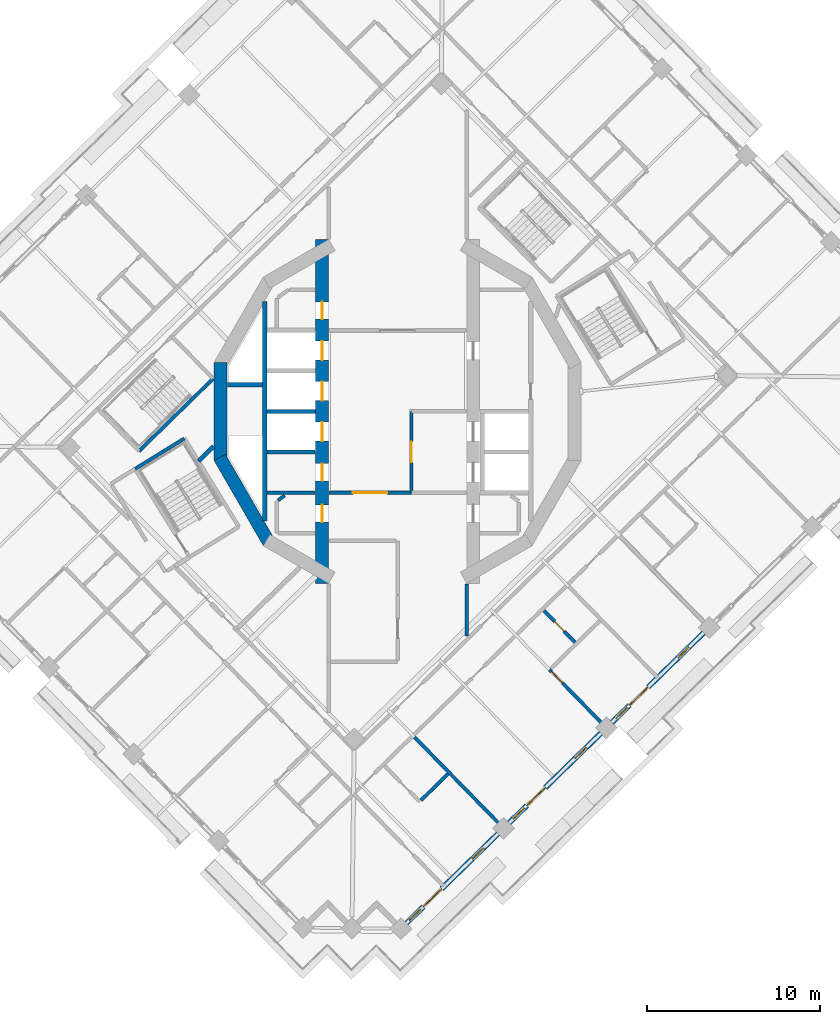
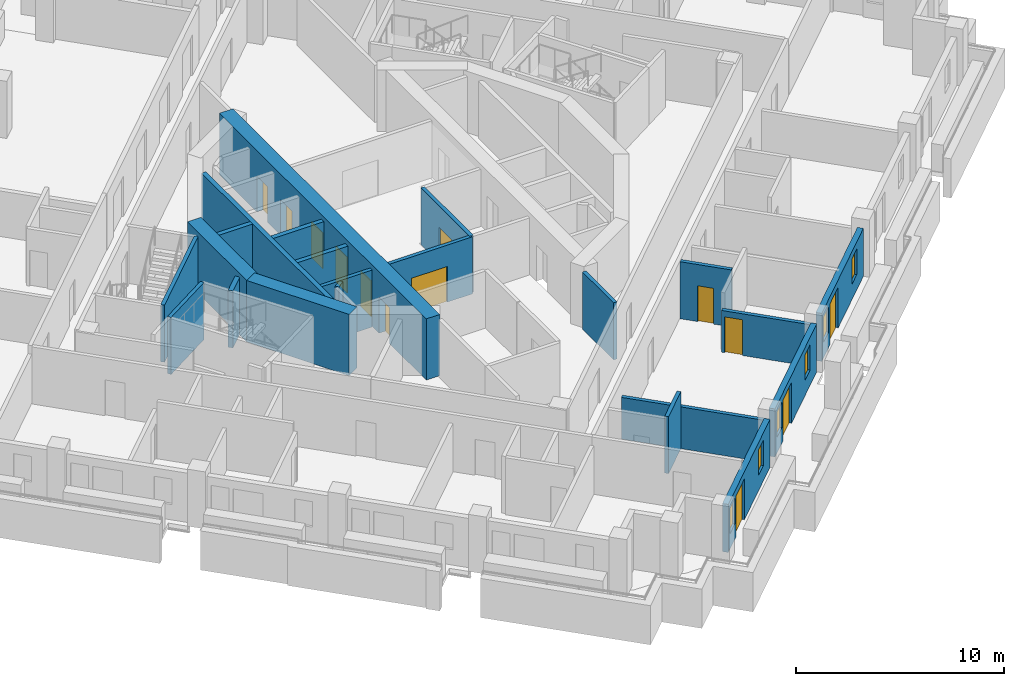
# One storey, part 6 of 19: 22 walls, 13 doors, 6 windows, 19 openings.
"""IFC4 building model written with IfcOpenShell, lengths in metres."""

import ifcopenshell
import ifcopenshell.guid

model = None  # the IFC model being written
_history = None  # IfcOwnerHistory: only IFC2X3 demands one
_inside = {}  # id of a spatial element -> (the spatial element, [elements in it])
_under = {}  # id of a project, library or spatial element -> (it, [spatial elements below it])
_declared = {}  # id of a project -> (the project, [libraries it declares])
_typed = {}  # id of a type object -> (the type object, [elements of that type])
_made_of = {}  # id of a material, layer set ... -> (it, [elements and type objects made of it])


def new_model(schema):
    """Start an empty IFC model of exactly this schema.

    Asked for "IFC4X3", IfcOpenShell would pick the latest addendum, in which some entities
    have other attributes; the version numbers below select the first issue.
    IFC2X3 requires an IfcOwnerHistory on every rooted entity: one is made here for all.
    """
    global model, _history
    if schema == "IFC4X3":
        model = ifcopenshell.file(schema_version=(4, 3, 0, 0))
    else:
        model = ifcopenshell.file(schema=schema)
    _inside.clear()
    _under.clear()
    _declared.clear()
    _typed.clear()
    _made_of.clear()
    _history = None
    if model.schema == "IFC2X3":
        org = make("IfcOrganization", Name="unknown")
        user = make(
            "IfcPersonAndOrganization",
            ThePerson=make("IfcPerson", FamilyName="unknown"),
            TheOrganization=org,
        )
        app = make(
            "IfcApplication",
            ApplicationDeveloper=org,
            Version="unknown",
            ApplicationFullName="unknown",
            ApplicationIdentifier="unknown",
        )
        _history = make(
            "IfcOwnerHistory",
            OwningUser=user,
            OwningApplication=app,
            ChangeAction="ADDED",
            CreationDate=0,
        )
    return model


def make(cls, **values):
    """One entity of the class cls with the attributes given. An attribute that is None is left unset."""
    return model.create_entity(
        cls, **{name: value for name, value in values.items() if value is not None}
    )


def rooted(cls, **values):
    """An entity with a GlobalId (a new one), such as an element, a storey or a relation."""
    return make(cls, GlobalId=ifcopenshell.guid.new(), OwnerHistory=_history, **values)


def si_unit(unit_type, name, prefix=None):
    """IfcSIUnit, for example si_unit("LENGTHUNIT", "METRE", prefix="MILLI")."""
    return make("IfcSIUnit", UnitType=unit_type, Prefix=prefix, Name=name)


def assignment(units):
    """IfcUnitAssignment: the units of a project."""
    return None if units is None else make("IfcUnitAssignment", Units=units)


def point(xyz):
    """IfcCartesianPoint."""
    return None if xyz is None else make("IfcCartesianPoint", Coordinates=xyz)


def direction(xyz):
    """IfcDirection."""
    return None if xyz is None else make("IfcDirection", DirectionRatios=xyz)


def frame(location, z_axis=None, x_axis=None):
    """IfcAxis2Placement3D, a coordinate frame: its origin and axes. An axis left out is left unset."""
    return make(
        "IfcAxis2Placement3D",
        Location=point(location),
        Axis=direction(z_axis),
        RefDirection=direction(x_axis),
    )


def frame_2d(location, x_axis=None):
    """IfcAxis2Placement2D, a coordinate frame in the plane: its origin and x axis."""
    return make(
        "IfcAxis2Placement2D", Location=point(location), RefDirection=direction(x_axis)
    )


def origin():
    """The frame at (0, 0, 0) with its axes left unset."""
    return frame((0.0, 0.0, 0.0))


def place(relative_to, where):
    """IfcLocalPlacement: puts the frame where relative to a parent placement (None: the world)."""
    return make(
        "IfcLocalPlacement", PlacementRelTo=relative_to, RelativePlacement=where
    )


def context(
    kind, dimensions, precision=None, world=None, true_north=None, identifier=None
):
    """IfcGeometricRepresentationContext, for example the 3D "Model" context."""
    return make(
        "IfcGeometricRepresentationContext",
        ContextIdentifier=identifier,
        ContextType=kind,
        CoordinateSpaceDimension=dimensions,
        Precision=precision,
        WorldCoordinateSystem=world,
        TrueNorth=true_north,
    )


def subcontext(parent, identifier, kind, view, scale=None):
    """IfcGeometricRepresentationSubContext, for example "Body" below "Model"."""
    return make(
        "IfcGeometricRepresentationSubContext",
        ContextIdentifier=identifier,
        ContextType=kind,
        ParentContext=parent,
        TargetScale=scale,
        TargetView=view,
    )


def project(units=None, contexts=None):
    """IfcProject with its units and contexts."""
    return rooted(
        "IfcProject",
        Name="project",
        RepresentationContexts=contexts,
        UnitsInContext=assignment(units),
    )


def spatial(cls, under=None, at=None, **own):
    """A site, building, storey or space (cls), placed at a placement, below another one or the project."""
    s = rooted(cls, ObjectPlacement=at, **own)
    if under is not None:
        _under.setdefault(under.id(), (under, []))[1].append(s)
    return s


def profile(cls, at=None, kind="AREA", **sizes):
    """A parametric profile (cls). Its sizes go by their IFC names, for example OverallWidth=200.0."""
    return make(cls, ProfileType=kind, Position=at, **sizes)


def rectangle(**sizes):
    """IfcRectangleProfileDef."""
    return profile("IfcRectangleProfileDef", **sizes)


def extrude(swept, where, along, depth):
    """IfcExtrudedAreaSolid: the profile swept, set in the frame where, extruded along a direction by depth."""
    return make(
        "IfcExtrudedAreaSolid",
        SweptArea=swept,
        Position=where,
        ExtrudedDirection=direction(along),
        Depth=depth,
    )


def shape(context_of_items, identifier, shape_type, items):
    """IfcShapeRepresentation: the items that make up one representation, for example the "Body"."""
    return make(
        "IfcShapeRepresentation",
        ContextOfItems=context_of_items,
        RepresentationIdentifier=identifier,
        RepresentationType=shape_type,
        Items=items,
    )


def material(Name=None, Category=None):
    """IfcMaterial."""
    return make("IfcMaterial", Name=Name, Category=Category)


def layer(
    of_material, thickness, ventilated=None, Name=None, Category=None, Priority=None
):
    """IfcMaterialLayer: one layer of a wall or slab, of a material (None: an air gap)."""
    return make(
        "IfcMaterialLayer",
        Material=of_material,
        LayerThickness=thickness,
        IsVentilated=ventilated,
        Name=Name,
        Category=Category,
        Priority=Priority,
    )


def layer_set(layers, Name=None):
    """IfcMaterialLayerSet."""
    return make("IfcMaterialLayerSet", MaterialLayers=layers, LayerSetName=Name)


def made_of(thing, what):
    """Note that an element or type object is made of a material, layer set ...; save() writes the relation."""
    if what is not None:
        _made_of.setdefault(what.id(), (what, []))[1].append(thing)
    return thing


def type_object(cls, material=None, **own):
    """A type object (cls), such as IfcWallType, which elements share."""
    return made_of(rooted(cls, **own), material)


def element(
    cls,
    number,
    at=None,
    inside=None,
    cuts=None,
    type_object=None,
    material=None,
    context=None,
    identifier="Body",
    shape_type=None,
    held_by="IfcProductDefinitionShape",
    body=None,
    shapes=None,
    **own,
):
    """One element of the class cls, such as IfcWall. Its Tag is "e" and its number.

    at: its placement. inside: the storey or other place that contains it. cuts: it is an
    opening in that element (IfcRelVoidsElement). A single representation is given by context,
    identifier, shape_type and body (its items); several are given by shapes. held_by: the class
    of the entity that holds the representations. save() writes the other relations.
    """
    e = rooted(cls, Tag="e%d" % number, ObjectPlacement=at, **own)
    if body is not None:
        shapes = [shape(context, identifier, shape_type, body)]
    if shapes is not None:
        e.Representation = make(held_by, Representations=shapes)
    if inside is not None:
        _inside.setdefault(inside.id(), (inside, []))[1].append(e)
    if cuts is not None:
        rooted(
            "IfcRelVoidsElement", RelatingBuildingElement=cuts, RelatedOpeningElement=e
        )
    if type_object is not None:
        _typed.setdefault(type_object.id(), (type_object, []))[1].append(e)
    return made_of(e, material)


def fill(opening, filler):
    """IfcRelFillsElement: the door or window that sits in an opening."""
    return rooted(
        "IfcRelFillsElement",
        RelatingOpeningElement=opening,
        RelatedBuildingElement=filler,
    )


def aggregate(whole, parts):
    """IfcRelAggregates: a whole, such as a stair, and the parts it consists of."""
    return rooted("IfcRelAggregates", RelatingObject=whole, RelatedObjects=parts)


def save(model, path):
    """Write the relations noted so far, then the file.

    IfcRelAggregates (storeys below a building ...), IfcRelContainedInSpatialStructure (elements
    in a storey), IfcRelDefinesByType, IfcRelAssociatesMaterial and IfcRelDeclares: one each for
    every whole, place, type object, material and project.
    """
    for whole, parts in _under.values():
        aggregate(whole, parts)
    for where, things in _inside.values():
        rooted(
            "IfcRelContainedInSpatialStructure",
            RelatedElements=things,
            RelatingStructure=where,
        )
    for kind, things in _typed.values():
        rooted("IfcRelDefinesByType", RelatedObjects=things, RelatingType=kind)
    for what, things in _made_of.values():
        rooted("IfcRelAssociatesMaterial", RelatedObjects=things, RelatingMaterial=what)
    for by, libraries in _declared.values():
        rooted("IfcRelDeclares", RelatingContext=by, RelatedDefinitions=libraries)
    model.write(path)


model = new_model("IFC4")

# Units and contexts
model_context = context("Model", 3, precision=1e-05, world=origin(), true_north=direction((0.0, 1.0)))
body_context = subcontext(model_context, "Body", "Model", "MODEL_VIEW")
ifc_project = project(units=[si_unit("LENGTHUNIT", "METRE"), si_unit("AREAUNIT", "SQUARE_METRE"), si_unit("VOLUMEUNIT", "CUBIC_METRE"), si_unit("PLANEANGLEUNIT", "RADIAN"), si_unit("MASSUNIT", "GRAM", prefix="KILO")], contexts=[model_context])

# Site, building, storey
site_placement = place(None, origin())
site = spatial("IfcSite", under=ifc_project, at=site_placement, CompositionType="ELEMENT")
building_placement = place(site_placement, origin())
building = spatial("IfcBuilding", under=site, at=building_placement, Name="Cantera Rosa Tower", CompositionType="ELEMENT")
storey_placement = place(building_placement, frame((0.0, 0.0, 216.199951171875)))
storey = spatial("IfcBuildingStorey", under=building, at=storey_placement, Name="L46", CompositionType="ELEMENT", Elevation=216.199951171875)

# Wall, opening, door
ifc_material_1 = material(Name="Gypsum board partition")
ifc_layer_1 = layer(ifc_material_1, 0.199951171875)
ifc_layer_set_1 = layer_set([ifc_layer_1], Name="CORRIDOR WALL 200 H3350")
wall_type_1 = type_object("IfcWallType", Name="CORRIDOR WALL 200 H3350", PredefinedType="PARTITIONING", material=ifc_layer_set_1)
wall_1_placement = place(storey_placement, frame((0.800048828125, -4.699951171875, 0.0), z_axis=(0.0, 0.0, 1.0), x_axis=(-1.0, 0.0, 0.0)))
wall_1 = element("IfcWall", 1, at=wall_1_placement, inside=storey, type_object=wall_type_1, Name="CORRIDOR WALL L46-065", PredefinedType="PARTITIONING", context=body_context, shape_type="SweptSolid", body=[
    extrude(rectangle(XDim=4.77001953125, YDim=0.199951171875, at=frame_2d((2.385009765625, 0.0))), origin(), (0.0, 0.0, 1.0), 3.35009765625),
])
opening_1_placement = place(wall_1_placement, frame((1.39990234375, 0.0, 0.0)))
opening_1 = element("IfcOpeningElement", 2, at=opening_1_placement, cuts=wall_1, Name="Opening L46-015", PredefinedType="OPENING", context=body_context, shape_type="SweptSolid", body=[
    extrude(rectangle(XDim=2.0, YDim=2.10009765625, at=frame_2d((1.0, 1.050048828125))), frame((0.0, 0.10986328125, 0.0), z_axis=(0.0, -1.0, 0.0), x_axis=(1.0, 0.0, 0.0)), (0.0, 0.0, 1.0), 0.219970703125),
])
ifc_material_2 = material(Name="Steel S355J2 (EN 10025-2)", Category="steel")
door_type_1 = type_object("IfcDoorType", Name="LOBBY SCREEN DOOR 2000x2100", OperationType="NOTDEFINED", PredefinedType="DOOR", material=ifc_material_2)
door_1_placement = place(opening_1_placement, origin())
door_1 = element("IfcDoor", 3, at=door_1_placement, inside=storey, type_object=door_type_1, Name="DOOR L46-015", OperationType="NOTDEFINED", OverallHeight=2.10009765625, OverallWidth=2.0, PredefinedType="DOOR", context=body_context, shape_type="SweptSolid", body=[
    extrude(rectangle(XDim=2.0, YDim=2.10009765625, at=frame_2d((1.0, 1.050048828125))), frame((0.0, 0.02490234375, 0.0), z_axis=(0.0, -1.0, 0.0), x_axis=(1.0, 0.0, 0.0)), (0.0, 0.0, 1.0), 0.050048828125),
])
fill(opening_1, door_1)

# Wall
wall_2_placement = place(storey_placement, frame((4.0, -12.998046875, 0.0), z_axis=(0.0, 0.0, 1.0), x_axis=(0.0, 1.0, 0.0)))
element("IfcWall", 4, at=wall_2_placement, inside=storey, type_object=wall_type_1, Name="CORRIDOR WALL L46-076", PredefinedType="PARTITIONING", context=body_context, shape_type="SweptSolid", body=[
    extrude(rectangle(XDim=3.00390625, YDim=0.199951171875, at=frame_2d((1.501953125, 0.0))), origin(), (0.0, 0.0, 1.0), 3.35009765625),
])

# Wall, openings, windows, door
ifc_material_3 = material(Name="Hollow clay masonry with cantera stone cladding", Category="masonry")
ifc_layer_2 = layer(ifc_material_3, 0.300048828125)
ifc_layer_set_2 = layer_set([ifc_layer_2], Name="EW-LOGGIA 300 H2820")
wall_type_2 = type_object("IfcWallType", Name="EW-LOGGIA 300 H2820", PredefinedType="SOLIDWALL", material=ifc_layer_set_2)
wall_3_placement = place(storey_placement, frame((0.503662109375, -29.6357421875, 0.0), z_axis=(0.0, 0.0, 1.0), x_axis=(0.715284379566, 0.698833496871, 0.0)))
wall_3 = element("IfcWall", 5, at=wall_3_placement, inside=storey, type_object=wall_type_2, Name="EN-L46-W21", PredefinedType="SOLIDWALL", context=body_context, shape_type="SweptSolid", body=[
    extrude(rectangle(XDim=7.42041015625, YDim=0.300048828125, at=frame_2d((3.710205078125, 0.0))), origin(), (0.0, 0.0, 1.0), 2.820068359375),
])
opening_2_placement = place(wall_3_placement, frame((0.25, 0.0, 0.89990234375)))
opening_2 = element("IfcOpeningElement", 6, at=opening_2_placement, cuts=wall_3, Name="Opening L46-W37", PredefinedType="OPENING", context=body_context, shape_type="SweptSolid", body=[
    extrude(rectangle(XDim=0.89990234375, YDim=1.5, at=frame_2d((0.449951171875, 0.75))), frame((0.0, 0.159912109375, 0.0), z_axis=(0.0, -1.0, 0.0), x_axis=(1.0, 0.0, 0.0)), (0.0, 0.0, 1.0), 0.320068359375),
])
opening_3_placement = place(wall_3_placement, frame((1.35009765625, 0.0, 0.0)))
opening_3 = element("IfcOpeningElement", 7, at=opening_3_placement, cuts=wall_3, Name="Opening L46-TD38", PredefinedType="OPENING", context=body_context, shape_type="SweptSolid", body=[
    extrude(rectangle(XDim=1.5, YDim=2.39990234375, at=frame_2d((0.75, 1.199951171875))), frame((0.0, 0.159912109375, 0.0), z_axis=(0.0, -1.0, 0.0), x_axis=(1.0, 0.0, 0.0)), (0.0, 0.0, 1.0), 0.320068359375),
])
opening_4_placement = place(wall_3_placement, frame((5.340087890625, 0.0, 0.89990234375)))
opening_4 = element("IfcOpeningElement", 8, at=opening_4_placement, cuts=wall_3, Name="Opening L46-W39", PredefinedType="OPENING", context=body_context, shape_type="SweptSolid", body=[
    extrude(rectangle(XDim=0.89990234375, YDim=1.5, at=frame_2d((0.449951171875, 0.75))), frame((0.0, 0.159912109375, 0.0), z_axis=(0.0, -1.0, 0.0), x_axis=(1.0, 0.0, 0.0)), (0.0, 0.0, 1.0), 0.320068359375),
])
ifc_material_4 = material(Name="Aluminium frame with clear glass", Category="aluminium")
window_type = type_object("IfcWindowType", Name="Residential window 900x1500", PartitioningType="SINGLE_PANEL", PredefinedType="WINDOW", material=ifc_material_4)
window_1_placement = place(opening_2_placement, origin())
window_1 = element("IfcWindow", 9, at=window_1_placement, inside=storey, type_object=window_type, Name="WINDOW L46-W37", OverallHeight=1.5, OverallWidth=0.89990234375, PartitioningType="SINGLE_PANEL", PredefinedType="WINDOW", context=body_context, shape_type="SweptSolid", body=[
    extrude(rectangle(XDim=0.89990234375, YDim=1.5, at=frame_2d((0.449951171875, 0.75))), frame((0.0, 0.030029296875, 0.0), z_axis=(0.0, -1.0, 0.0), x_axis=(1.0, 0.0, 0.0)), (0.0, 0.0, 1.0), 0.06005859375),
])
fill(opening_2, window_1)
window_2_placement = place(opening_4_placement, origin())
window_2 = element("IfcWindow", 10, at=window_2_placement, inside=storey, type_object=window_type, Name="WINDOW L46-W39", OverallHeight=1.5, OverallWidth=0.89990234375, PartitioningType="SINGLE_PANEL", PredefinedType="WINDOW", context=body_context, shape_type="SweptSolid", body=[
    extrude(rectangle(XDim=0.89990234375, YDim=1.5, at=frame_2d((0.449951171875, 0.75))), frame((0.0, 0.030029296875, 0.0), z_axis=(0.0, -1.0, 0.0), x_axis=(1.0, 0.0, 0.0)), (0.0, 0.0, 1.0), 0.06005859375),
])
fill(opening_4, window_2)
ifc_material_5 = material(Name="Aluminium frame with clear glass", Category="aluminium")
door_type_2 = type_object("IfcDoorType", Name="TD-R 1500x2400", OperationType="NOTDEFINED", PredefinedType="DOOR", material=ifc_material_5)
door_2_placement = place(opening_3_placement, origin())
door_2 = element("IfcDoor", 11, at=door_2_placement, inside=storey, type_object=door_type_2, Name="LOGGIA DOOR L46-TD38", OperationType="SLIDING_TO_LEFT", OverallHeight=2.39990234375, OverallWidth=1.5, PredefinedType="DOOR", context=body_context, shape_type="SweptSolid", body=[
    extrude(rectangle(XDim=1.5, YDim=2.39990234375, at=frame_2d((0.75, 1.199951171875))), frame((0.0, 0.02490234375, 0.0), z_axis=(0.0, -1.0, 0.0), x_axis=(1.0, 0.0, 0.0)), (0.0, 0.0, 1.0), 0.050048828125),
])
fill(opening_3, door_2)

wall_4_placement = place(storey_placement, frame((6.454833984375, -23.8212890625, 0.0), z_axis=(0.0, 0.0, 1.0), x_axis=(0.715300826176, 0.698816662703, 0.0)))
wall_4 = element("IfcWall", 12, at=wall_4_placement, inside=storey, type_object=wall_type_2, Name="EN-L46-W22", PredefinedType="SOLIDWALL", context=body_context, shape_type="SweptSolid", body=[
    extrude(rectangle(XDim=7.420166015625, YDim=0.300048828125, at=frame_2d((3.7099609375, 0.0))), origin(), (0.0, 0.0, 1.0), 2.820068359375),
])
opening_5_placement = place(wall_4_placement, frame((0.330078125, 0.0, 0.89990234375)))
opening_5 = element("IfcOpeningElement", 13, at=opening_5_placement, cuts=wall_4, Name="Opening L46-W40", PredefinedType="OPENING", context=body_context, shape_type="SweptSolid", body=[
    extrude(rectangle(XDim=0.89990234375, YDim=1.5, at=frame_2d((0.449951171875, 0.75))), frame((0.0, 0.159912109375, 0.0), z_axis=(0.0, -1.0, 0.0), x_axis=(1.0, 0.0, 0.0)), (0.0, 0.0, 1.0), 0.320068359375),
])
opening_6_placement = place(wall_4_placement, frame((1.429931640625, 0.0, 0.0)))
opening_6 = element("IfcOpeningElement", 14, at=opening_6_placement, cuts=wall_4, Name="Opening L46-TD41", PredefinedType="OPENING", context=body_context, shape_type="SweptSolid", body=[
    extrude(rectangle(XDim=1.5, YDim=2.39990234375, at=frame_2d((0.75, 1.199951171875))), frame((0.0, 0.159912109375, 0.0), z_axis=(0.0, -1.0, 0.0), x_axis=(1.0, 0.0, 0.0)), (0.0, 0.0, 1.0), 0.320068359375),
])
opening_7_placement = place(wall_4_placement, frame((5.340087890625, 0.0, 0.89990234375)))
opening_7 = element("IfcOpeningElement", 15, at=opening_7_placement, cuts=wall_4, Name="Opening L46-W42", PredefinedType="OPENING", context=body_context, shape_type="SweptSolid", body=[
    extrude(rectangle(XDim=0.89990234375, YDim=1.5, at=frame_2d((0.449951171875, 0.75))), frame((0.0, 0.159912109375, 0.0), z_axis=(0.0, -1.0, 0.0), x_axis=(1.0, 0.0, 0.0)), (0.0, 0.0, 1.0), 0.320068359375),
])
window_3_placement = place(opening_5_placement, origin())
window_3 = element("IfcWindow", 16, at=window_3_placement, inside=storey, type_object=window_type, Name="WINDOW L46-W40", OverallHeight=1.5, OverallWidth=0.89990234375, PartitioningType="SINGLE_PANEL", PredefinedType="WINDOW", context=body_context, shape_type="SweptSolid", body=[
    extrude(rectangle(XDim=0.89990234375, YDim=1.5, at=frame_2d((0.449951171875, 0.75))), frame((0.0, 0.030029296875, 0.0), z_axis=(0.0, -1.0, 0.0), x_axis=(1.0, 0.0, 0.0)), (0.0, 0.0, 1.0), 0.06005859375),
])
fill(opening_5, window_3)
window_4_placement = place(opening_7_placement, origin())
window_4 = element("IfcWindow", 17, at=window_4_placement, inside=storey, type_object=window_type, Name="WINDOW L46-W42", OverallHeight=1.5, OverallWidth=0.89990234375, PartitioningType="SINGLE_PANEL", PredefinedType="WINDOW", context=body_context, shape_type="SweptSolid", body=[
    extrude(rectangle(XDim=0.89990234375, YDim=1.5, at=frame_2d((0.449951171875, 0.75))), frame((0.0, 0.030029296875, 0.0), z_axis=(0.0, -1.0, 0.0), x_axis=(1.0, 0.0, 0.0)), (0.0, 0.0, 1.0), 0.06005859375),
])
fill(opening_7, window_4)
door_3_placement = place(opening_6_placement, origin())
door_3 = element("IfcDoor", 18, at=door_3_placement, inside=storey, type_object=door_type_2, Name="LOGGIA DOOR L46-TD41", OperationType="SLIDING_TO_LEFT", OverallHeight=2.39990234375, OverallWidth=1.5, PredefinedType="DOOR", context=body_context, shape_type="SweptSolid", body=[
    extrude(rectangle(XDim=1.5, YDim=2.39990234375, at=frame_2d((0.75, 1.199951171875))), frame((0.0, 0.02490234375, 0.0), z_axis=(0.0, -1.0, 0.0), x_axis=(1.0, 0.0, 0.0)), (0.0, 0.0, 1.0), 0.050048828125),
])
fill(opening_6, door_3)

wall_5_placement = place(storey_placement, frame((12.406005859375, -18.007080078125, 0.0), z_axis=(0.0, 0.0, 1.0), x_axis=(0.715300826176, 0.698816662703, 0.0)))
wall_5 = element("IfcWall", 19, at=wall_5_placement, inside=storey, type_object=wall_type_2, Name="EN-L46-W23", PredefinedType="SOLIDWALL", context=body_context, shape_type="SweptSolid", body=[
    extrude(rectangle(XDim=7.420166015625, YDim=0.300048828125, at=frame_2d((3.7099609375, 0.0))), origin(), (0.0, 0.0, 1.0), 2.820068359375),
])
opening_8_placement = place(wall_5_placement, frame((0.330078125, 0.0, 0.89990234375)))
opening_8 = element("IfcOpeningElement", 20, at=opening_8_placement, cuts=wall_5, Name="Opening L46-W43", PredefinedType="OPENING", context=body_context, shape_type="SweptSolid", body=[
    extrude(rectangle(XDim=0.89990234375, YDim=1.5, at=frame_2d((0.449951171875, 0.75))), frame((0.0, 0.159912109375, 0.0), z_axis=(0.0, -1.0, 0.0), x_axis=(1.0, 0.0, 0.0)), (0.0, 0.0, 1.0), 0.320068359375),
])
opening_9_placement = place(wall_5_placement, frame((1.429931640625, 0.0, 0.0)))
opening_9 = element("IfcOpeningElement", 21, at=opening_9_placement, cuts=wall_5, Name="Opening L46-TD44", PredefinedType="OPENING", context=body_context, shape_type="SweptSolid", body=[
    extrude(rectangle(XDim=1.5, YDim=2.39990234375, at=frame_2d((0.75, 1.199951171875))), frame((0.0, 0.159912109375, 0.0), z_axis=(0.0, -1.0, 0.0), x_axis=(1.0, 0.0, 0.0)), (0.0, 0.0, 1.0), 0.320068359375),
])
opening_10_placement = place(wall_5_placement, frame((5.340087890625, 0.0, 0.89990234375)))
opening_10 = element("IfcOpeningElement", 22, at=opening_10_placement, cuts=wall_5, Name="Opening L46-W45", PredefinedType="OPENING", context=body_context, shape_type="SweptSolid", body=[
    extrude(rectangle(XDim=0.89990234375, YDim=1.5, at=frame_2d((0.449951171875, 0.75))), frame((0.0, 0.159912109375, 0.0), z_axis=(0.0, -1.0, 0.0), x_axis=(1.0, 0.0, 0.0)), (0.0, 0.0, 1.0), 0.320068359375),
])
window_5_placement = place(opening_8_placement, origin())
window_5 = element("IfcWindow", 23, at=window_5_placement, inside=storey, type_object=window_type, Name="WINDOW L46-W43", OverallHeight=1.5, OverallWidth=0.89990234375, PartitioningType="SINGLE_PANEL", PredefinedType="WINDOW", context=body_context, shape_type="SweptSolid", body=[
    extrude(rectangle(XDim=0.89990234375, YDim=1.5, at=frame_2d((0.449951171875, 0.75))), frame((0.0, 0.030029296875, 0.0), z_axis=(0.0, -1.0, 0.0), x_axis=(1.0, 0.0, 0.0)), (0.0, 0.0, 1.0), 0.06005859375),
])
fill(opening_8, window_5)
window_6_placement = place(opening_10_placement, origin())
window_6 = element("IfcWindow", 24, at=window_6_placement, inside=storey, type_object=window_type, Name="WINDOW L46-W45", OverallHeight=1.5, OverallWidth=0.89990234375, PartitioningType="SINGLE_PANEL", PredefinedType="WINDOW", context=body_context, shape_type="SweptSolid", body=[
    extrude(rectangle(XDim=0.89990234375, YDim=1.5, at=frame_2d((0.449951171875, 0.75))), frame((0.0, 0.030029296875, 0.0), z_axis=(0.0, -1.0, 0.0), x_axis=(1.0, 0.0, 0.0)), (0.0, 0.0, 1.0), 0.06005859375),
])
fill(opening_10, window_6)
door_4_placement = place(opening_9_placement, origin())
door_4 = element("IfcDoor", 25, at=door_4_placement, inside=storey, type_object=door_type_2, Name="LOGGIA DOOR L46-TD44", OperationType="SLIDING_TO_LEFT", OverallHeight=2.39990234375, OverallWidth=1.5, PredefinedType="DOOR", context=body_context, shape_type="SweptSolid", body=[
    extrude(rectangle(XDim=1.5, YDim=2.39990234375, at=frame_2d((0.75, 1.199951171875))), frame((0.0, 0.02490234375, 0.0), z_axis=(0.0, -1.0, 0.0), x_axis=(1.0, 0.0, 0.0)), (0.0, 0.0, 1.0), 0.050048828125),
])
fill(opening_9, door_4)

# Wall, opening, door
ifc_material_6 = material(Name="Gypsum board partition")
ifc_layer_3 = layer(ifc_material_6, 0.199951171875)
ifc_layer_set_3 = layer_set([ifc_layer_3], Name="PARTITION 200 H2450")
wall_type_3 = type_object("IfcWallType", Name="PARTITION 200 H2450", PredefinedType="PARTITIONING", material=ifc_layer_set_3)
wall_6_placement = place(storey_placement, frame((12.063232421875, -18.300048828125, 0.0), z_axis=(0.0, 0.0, 1.0), x_axis=(-0.698824761261, 0.71529291416, 0.0)))
wall_6 = element("IfcWall", 26, at=wall_6_placement, inside=storey, type_object=wall_type_3, Name="PARTITION L46-103", PredefinedType="PARTITIONING", context=body_context, shape_type="SweptSolid", body=[
    extrude(rectangle(XDim=4.669921875, YDim=0.199951171875, at=frame_2d((2.3349609375, 0.0))), origin(), (0.0, 0.0, 1.0), 2.449951171875),
])
opening_11_placement = place(wall_6_placement, frame((3.6201171875, 0.0, 0.0)))
opening_11 = element("IfcOpeningElement", 27, at=opening_11_placement, cuts=wall_6, Name="Opening L46-051", PredefinedType="OPENING", context=body_context, shape_type="SweptSolid", body=[
    extrude(rectangle(XDim=0.89990234375, YDim=2.10009765625, at=frame_2d((0.449951171875, 1.050048828125))), frame((0.0, 0.10986328125, 0.0), z_axis=(0.0, -1.0, 0.0), x_axis=(1.0, 0.0, 0.0)), (0.0, 0.0, 1.0), 0.219970703125),
])
ifc_material_7 = material(Name="Timber door leaf", Category="wood")
door_type_3 = type_object("IfcDoorType", Name="ROOM DOOR 900x2100", OperationType="NOTDEFINED", PredefinedType="DOOR", material=ifc_material_7)
door_5_placement = place(opening_11_placement, origin())
door_5 = element("IfcDoor", 28, at=door_5_placement, inside=storey, type_object=door_type_3, Name="DOOR L46-051", OperationType="NOTDEFINED", OverallHeight=2.10009765625, OverallWidth=0.89990234375, PredefinedType="DOOR", context=body_context, shape_type="SweptSolid", body=[
    extrude(rectangle(XDim=0.89990234375, YDim=2.10009765625, at=frame_2d((0.449951171875, 1.050048828125))), frame((0.0, 0.02490234375, 0.0), z_axis=(0.0, -1.0, 0.0), x_axis=(1.0, 0.0, 0.0)), (0.0, 0.0, 1.0), 0.050048828125),
])
fill(opening_11, door_5)

# Walls
ifc_material_8 = material(Name="Gypsum board partition")
ifc_layer_4 = layer(ifc_material_8, 0.199951171875)
ifc_layer_set_4 = layer_set([ifc_layer_4], Name="PARTITION 200 H3350")
wall_type_4 = type_object("IfcWallType", Name="PARTITION 200 H3350", PredefinedType="PARTITIONING", material=ifc_layer_set_4)
wall_7_placement = place(storey_placement, frame((-6.935302734375, -5.15283203125, 0.0), z_axis=(0.0, 0.0, 1.0), x_axis=(0.808368872862, 0.588676282338, 0.0)))
element("IfcWall", 29, at=wall_7_placement, inside=storey, type_object=wall_type_4, Name="PARTITION L46-042", PredefinedType="PARTITIONING", context=body_context, shape_type="SweptSolid", body=[
    extrude(rectangle(XDim=0.489013671875, YDim=0.199951171875, at=frame_2d((0.24462890625, 0.0))), origin(), (0.0, 0.0, 1.0), 3.35009765625),
])
wall_8_placement = place(storey_placement, frame((-4.780029296875, -4.699951171875, 0.0), z_axis=(0.0, 0.0, 1.0), x_axis=(-1.0, 0.0, 0.0)))
element("IfcWall", 30, at=wall_8_placement, inside=storey, type_object=wall_type_4, Name="PARTITION L46-049", PredefinedType="PARTITIONING", context=body_context, shape_type="SweptSolid", body=[
    extrude(rectangle(XDim=2.794921875, YDim=0.199951171875, at=frame_2d((1.3974609375, 0.0))), origin(), (0.0, 0.0, 1.0), 3.35009765625),
])
wall_9_placement = place(storey_placement, frame((2.916748046875, -20.98681640625, 0.0), z_axis=(0.0, 0.0, 1.0), x_axis=(-0.715234272025, -0.69888478029, 0.0)))
element("IfcWall", 31, at=wall_9_placement, inside=storey, type_object=wall_type_4, Name="PARTITION L46-074", PredefinedType="PARTITIONING", context=body_context, shape_type="SweptSolid", body=[
    extrude(rectangle(XDim=2.18017578125, YDim=0.199951171875, at=frame_2d((1.090087890625, 0.0))), origin(), (0.0, 0.0, 1.0), 3.35009765625),
])

# Wall, opening, door
wall_10_placement = place(storey_placement, frame((10.260986328125, -13.364501953125, 0.0), z_axis=(0.0, 0.0, 1.0), x_axis=(-0.698809886965, 0.715307445705, 0.0)))
wall_10 = element("IfcWall", 32, at=wall_10_placement, inside=storey, type_object=wall_type_4, Name="PARTITION L46-096", PredefinedType="PARTITIONING", context=body_context, shape_type="SweptSolid", body=[
    extrude(rectangle(XDim=2.56005859375, YDim=0.199951171875, at=frame_2d((1.280029296875, 0.0))), origin(), (0.0, 0.0, 1.0), 3.35009765625),
])
opening_12_placement = place(wall_10_placement, frame((0.8798828125, 0.0, 0.0)))
opening_12 = element("IfcOpeningElement", 33, at=opening_12_placement, cuts=wall_10, Name="Opening L46-050", PredefinedType="OPENING", context=body_context, shape_type="SweptSolid", body=[
    extrude(rectangle(XDim=0.800048828125, YDim=2.10009765625, at=frame_2d((0.39990234375, 1.050048828125))), frame((0.0, 0.10986328125, 0.0), z_axis=(0.0, -1.0, 0.0), x_axis=(1.0, 0.0, 0.0)), (0.0, 0.0, 1.0), 0.219970703125),
])
ifc_material_9 = material(Name="Timber door leaf", Category="wood")
door_type_4 = type_object("IfcDoorType", Name="BATHROOM DOOR 800x2100", OperationType="NOTDEFINED", PredefinedType="DOOR", material=ifc_material_9)
door_6_placement = place(opening_12_placement, origin())
door_6 = element("IfcDoor", 34, at=door_6_placement, inside=storey, type_object=door_type_4, Name="DOOR L46-050", OperationType="NOTDEFINED", OverallHeight=2.10009765625, OverallWidth=0.800048828125, PredefinedType="DOOR", context=body_context, shape_type="SweptSolid", body=[
    extrude(rectangle(XDim=0.800048828125, YDim=2.10009765625, at=frame_2d((0.39990234375, 1.050048828125))), frame((0.0, 0.02490234375, 0.0), z_axis=(0.0, -1.0, 0.0), x_axis=(1.0, 0.0, 0.0)), (0.0, 0.0, 1.0), 0.050048828125),
])
fill(opening_12, door_6)

# Walls
ifc_material_10 = material(Name="Gypsum board partition")
ifc_layer_5 = layer(ifc_material_10, 0.199951171875)
ifc_layer_set_5 = layer_set([ifc_layer_5], Name="PARTY WALL 200 H2450")
wall_type_5 = type_object("IfcWallType", Name="PARTY WALL 200 H2450", PredefinedType="PARTITIONING", material=ifc_layer_set_5)
wall_11_placement = place(storey_placement, frame((6.112060546875, -24.114501953125, 0.0), z_axis=(0.0, 0.0, 1.0), x_axis=(-0.698821349183, 0.715296247667, 0.0)))
element("IfcWall", 35, at=wall_11_placement, inside=storey, type_object=wall_type_5, Name="PARTY WALL L46-082", PredefinedType="PARTITIONING", context=body_context, shape_type="SweptSolid", body=[
    extrude(rectangle(XDim=7.35009765625, YDim=0.199951171875, at=frame_2d((3.675048828125, 0.0))), origin(), (0.0, 0.0, 1.0), 2.449951171875),
])
ifc_material_11 = material(Name="Concrete C60/75", Category="concrete")
ifc_layer_6 = layer(ifc_material_11, 0.75)
ifc_layer_set_6 = layer_set([ifc_layer_6], Name="RC CORE WALL 750 C60/75")
wall_type_6 = type_object("IfcWallType", Name="RC CORE WALL 750 C60/75", PredefinedType="SHEAR", material=ifc_layer_set_6)
wall_12_placement = place(storey_placement, frame((-7.453369140625, -7.590576171875, 0.0), z_axis=(0.0, 0.0, 1.0), x_axis=(-0.500021842983, 0.866012792365, 0.0)))
element("IfcWall", 36, at=wall_12_placement, inside=storey, type_object=wall_type_6, Name="CW-W2 L46", PredefinedType="SHEAR", context=body_context, shape_type="SweptSolid", body=[
    extrude(rectangle(XDim=5.694091796875, YDim=0.75, at=frame_2d((2.84716796875, 0.0))), origin(), (0.0, 0.0, 1.0), 3.60009765625),
])
wall_13_placement = place(storey_placement, frame((-10.250244140625, -2.846923828125, 0.0), z_axis=(0.0, 0.0, 1.0), x_axis=(0.0, 1.0, 0.0)))
element("IfcWall", 37, at=wall_13_placement, inside=storey, type_object=wall_type_6, Name="CW-W3 L46", PredefinedType="SHEAR", context=body_context, shape_type="SweptSolid", body=[
    extrude(rectangle(XDim=5.69384765625, YDim=0.75, at=frame_2d((2.846923828125, 0.0))), origin(), (0.0, 0.0, 1.0), 3.60009765625),
])

# Wall, openings, doors
wall_14_placement = place(storey_placement, frame((-4.375, 9.95947265625, 0.0), z_axis=(0.0, 0.0, 1.0), x_axis=(0.0, -1.0, 0.0)))
wall_14 = element("IfcWall", 38, at=wall_14_placement, inside=storey, type_object=wall_type_6, Name="CW-W6 L46", PredefinedType="SHEAR", context=body_context, shape_type="SweptSolid", body=[
    extrude(rectangle(XDim=19.9189453125, YDim=0.75, at=frame_2d((9.95947265625, 0.0))), origin(), (0.0, 0.0, 1.0), 3.60009765625),
])
opening_13_placement = place(wall_14_placement, frame((10.58447265625, 0.0, 0.0)))
opening_13 = element("IfcOpeningElement", 39, at=opening_13_placement, cuts=wall_14, Name="Opening LD-H1-L46", PredefinedType="OPENING", context=body_context, shape_type="SweptSolid", body=[
    extrude(rectangle(XDim=1.10009765625, YDim=2.10009765625, at=frame_2d((0.550048828125, 1.050048828125))), frame((0.0, 0.385009765625, 0.0), z_axis=(0.0, -1.0, 0.0), x_axis=(1.0, 0.0, 0.0)), (0.0, 0.0, 1.0), 0.77001953125),
])
opening_14_placement = place(wall_14_placement, frame((8.234619140625, 0.0, 0.0)))
opening_14 = element("IfcOpeningElement", 40, at=opening_14_placement, cuts=wall_14, Name="Opening LD-H2-L46", PredefinedType="OPENING", context=body_context, shape_type="SweptSolid", body=[
    extrude(rectangle(XDim=1.10009765625, YDim=2.10009765625, at=frame_2d((0.550048828125, 1.050048828125))), frame((0.0, 0.385009765625, 0.0), z_axis=(0.0, -1.0, 0.0), x_axis=(1.0, 0.0, 0.0)), (0.0, 0.0, 1.0), 0.77001953125),
])
opening_15_placement = place(wall_14_placement, frame((5.884521484375, 0.0, 0.0)))
opening_15 = element("IfcOpeningElement", 41, at=opening_15_placement, cuts=wall_14, Name="Opening LD-H3-L46", PredefinedType="OPENING", context=body_context, shape_type="SweptSolid", body=[
    extrude(rectangle(XDim=1.10009765625, YDim=2.10009765625, at=frame_2d((0.550048828125, 1.050048828125))), frame((0.0, 0.385009765625, 0.0), z_axis=(0.0, -1.0, 0.0), x_axis=(1.0, 0.0, 0.0)), (0.0, 0.0, 1.0), 0.77001953125),
])
opening_16_placement = place(wall_14_placement, frame((15.368408203125, 0.0, 0.0)))
opening_16 = element("IfcOpeningElement", 42, at=opening_16_placement, cuts=wall_14, Name="Opening SD-L46-18", PredefinedType="OPENING", context=body_context, shape_type="SweptSolid", body=[
    extrude(rectangle(XDim=1.0, YDim=2.10009765625, at=frame_2d((0.5, 1.050048828125))), frame((0.0, 0.385009765625, 0.0), z_axis=(0.0, -1.0, 0.0), x_axis=(1.0, 0.0, 0.0)), (0.0, 0.0, 1.0), 0.77001953125),
])
opening_17_placement = place(wall_14_placement, frame((3.618408203125, 0.0, 0.0)))
opening_17 = element("IfcOpeningElement", 43, at=opening_17_placement, cuts=wall_14, Name="Opening SD-L46-19", PredefinedType="OPENING", context=body_context, shape_type="SweptSolid", body=[
    extrude(rectangle(XDim=1.0, YDim=2.10009765625, at=frame_2d((0.5, 1.050048828125))), frame((0.0, 0.385009765625, 0.0), z_axis=(0.0, -1.0, 0.0), x_axis=(1.0, 0.0, 0.0)), (0.0, 0.0, 1.0), 0.77001953125),
])
opening_18_placement = place(wall_14_placement, frame((12.984619140625, 0.0, 0.0)))
opening_18 = element("IfcOpeningElement", 44, at=opening_18_placement, cuts=wall_14, Name="Opening SD-L46-20", PredefinedType="OPENING", context=body_context, shape_type="SweptSolid", body=[
    extrude(rectangle(XDim=1.0, YDim=2.10009765625, at=frame_2d((0.5, 1.050048828125))), frame((0.0, 0.385009765625, 0.0), z_axis=(0.0, -1.0, 0.0), x_axis=(1.0, 0.0, 0.0)), (0.0, 0.0, 1.0), 0.77001953125),
])
ifc_material_12 = material(Name="Steel S355J2 (EN 10025-2)", Category="steel")
door_type_5 = type_object("IfcDoorType", Name="LANDING DOOR 1100x2100", OperationType="NOTDEFINED", PredefinedType="DOOR", material=ifc_material_12)
door_7_placement = place(opening_13_placement, origin())
door_7 = element("IfcDoor", 45, at=door_7_placement, inside=storey, type_object=door_type_5, Name="LANDING DOOR H1 L46", OperationType="SLIDING_TO_LEFT", OverallHeight=2.10009765625, OverallWidth=1.10009765625, PredefinedType="DOOR", context=body_context, shape_type="SweptSolid", body=[
    extrude(rectangle(XDim=1.10009765625, YDim=2.10009765625, at=frame_2d((0.550048828125, 1.050048828125))), frame((0.0, 0.02490234375, 0.0), z_axis=(0.0, -1.0, 0.0), x_axis=(1.0, 0.0, 0.0)), (0.0, 0.0, 1.0), 0.050048828125),
])
fill(opening_13, door_7)
door_8_placement = place(opening_14_placement, origin())
door_8 = element("IfcDoor", 46, at=door_8_placement, inside=storey, type_object=door_type_5, Name="LANDING DOOR H2 L46", OperationType="SLIDING_TO_LEFT", OverallHeight=2.10009765625, OverallWidth=1.10009765625, PredefinedType="DOOR", context=body_context, shape_type="SweptSolid", body=[
    extrude(rectangle(XDim=1.10009765625, YDim=2.10009765625, at=frame_2d((0.550048828125, 1.050048828125))), frame((0.0, 0.02490234375, 0.0), z_axis=(0.0, -1.0, 0.0), x_axis=(1.0, 0.0, 0.0)), (0.0, 0.0, 1.0), 0.050048828125),
])
fill(opening_14, door_8)
door_9_placement = place(opening_15_placement, origin())
door_9 = element("IfcDoor", 47, at=door_9_placement, inside=storey, type_object=door_type_5, Name="LANDING DOOR H3 L46", OperationType="SLIDING_TO_LEFT", OverallHeight=2.10009765625, OverallWidth=1.10009765625, PredefinedType="DOOR", context=body_context, shape_type="SweptSolid", body=[
    extrude(rectangle(XDim=1.10009765625, YDim=2.10009765625, at=frame_2d((0.550048828125, 1.050048828125))), frame((0.0, 0.02490234375, 0.0), z_axis=(0.0, -1.0, 0.0), x_axis=(1.0, 0.0, 0.0)), (0.0, 0.0, 1.0), 0.050048828125),
])
fill(opening_15, door_9)
ifc_material_13 = material(Name="Timber door leaf", Category="wood")
door_type_6 = type_object("IfcDoorType", Name="SERVICE DOOR 1000x2100", OperationType="NOTDEFINED", PredefinedType="DOOR", material=ifc_material_13)
door_10_placement = place(opening_16_placement, origin())
door_10 = element("IfcDoor", 48, at=door_10_placement, inside=storey, type_object=door_type_6, Name="DOOR L46-SD18", OperationType="NOTDEFINED", OverallHeight=2.10009765625, OverallWidth=1.0, PredefinedType="DOOR", context=body_context, shape_type="SweptSolid", body=[
    extrude(rectangle(XDim=1.0, YDim=2.10009765625, at=frame_2d((0.5, 1.050048828125))), frame((0.0, 0.02490234375, 0.0), z_axis=(0.0, -1.0, 0.0), x_axis=(1.0, 0.0, 0.0)), (0.0, 0.0, 1.0), 0.050048828125),
])
fill(opening_16, door_10)
door_11_placement = place(opening_17_placement, origin())
door_11 = element("IfcDoor", 49, at=door_11_placement, inside=storey, type_object=door_type_6, Name="DOOR L46-SD19", OperationType="NOTDEFINED", OverallHeight=2.10009765625, OverallWidth=1.0, PredefinedType="DOOR", context=body_context, shape_type="SweptSolid", body=[
    extrude(rectangle(XDim=1.0, YDim=2.10009765625, at=frame_2d((0.5, 1.050048828125))), frame((0.0, 0.02490234375, 0.0), z_axis=(0.0, -1.0, 0.0), x_axis=(1.0, 0.0, 0.0)), (0.0, 0.0, 1.0), 0.050048828125),
])
fill(opening_17, door_11)
door_12_placement = place(opening_18_placement, origin())
door_12 = element("IfcDoor", 50, at=door_12_placement, inside=storey, type_object=door_type_6, Name="DOOR L46-SD20", OperationType="NOTDEFINED", OverallHeight=2.10009765625, OverallWidth=1.0, PredefinedType="DOOR", context=body_context, shape_type="SweptSolid", body=[
    extrude(rectangle(XDim=1.0, YDim=2.10009765625, at=frame_2d((0.5, 1.050048828125))), frame((0.0, 0.02490234375, 0.0), z_axis=(0.0, -1.0, 0.0), x_axis=(1.0, 0.0, 0.0)), (0.0, 0.0, 1.0), 0.050048828125),
])
fill(opening_18, door_12)

# Walls
ifc_material_14 = material(Name="Masonry blockwork", Category="masonry")
ifc_layer_7 = layer(ifc_material_14, 0.25)
ifc_layer_set_7 = layer_set([ifc_layer_7], Name="SHAFT WALL 250 H3350")
wall_type_7 = type_object("IfcWallType", Name="SHAFT WALL 250 H3350", PredefinedType="SOLIDWALL", material=ifc_layer_set_7)
wall_15_placement = place(storey_placement, frame((-11.537353515625, -2.8837890625, 0.0), z_axis=(0.0, 0.0, 1.0), x_axis=(0.715175958394, 0.698944453111, 0.0)))
element("IfcWall", 51, at=wall_15_placement, inside=storey, type_object=wall_type_7, Name="SHAFT WALL L46-028", PredefinedType="SOLIDWALL", context=body_context, shape_type="SweptSolid", body=[
    extrude(rectangle(XDim=1.2333984375, YDim=0.25, at=frame_2d((0.61669921875, 0.0))), origin(), (0.0, 0.0, 1.0), 3.35009765625),
])
wall_16_placement = place(storey_placement, frame((-9.84521484375, 1.539306640625, 0.0), z_axis=(0.0, 0.0, 1.0), x_axis=(1.0, 0.0, 0.0)))
element("IfcWall", 52, at=wall_16_placement, inside=storey, type_object=wall_type_7, Name="SHAFT WALL L46-031", PredefinedType="SOLIDWALL", context=body_context, shape_type="SweptSolid", body=[
    extrude(rectangle(XDim=2.020263671875, YDim=0.25, at=frame_2d((1.01025390625, 0.0))), origin(), (0.0, 0.0, 1.0), 3.35009765625),
])
wall_17_placement = place(storey_placement, frame((-7.574951171875, -2.35009765625, 0.0), z_axis=(0.0, 0.0, 1.0), x_axis=(1.0, 0.0, 0.0)))
element("IfcWall", 53, at=wall_17_placement, inside=storey, type_object=wall_type_7, Name="SHAFT WALL L46-034", PredefinedType="SOLIDWALL", context=body_context, shape_type="SweptSolid", body=[
    extrude(rectangle(XDim=2.794921875, YDim=0.25, at=frame_2d((1.3974609375, 0.0))), origin(), (0.0, 0.0, 1.0), 3.35009765625),
])
wall_18_placement = place(storey_placement, frame((-7.574951171875, 0.0, 0.0), z_axis=(0.0, 0.0, 1.0), x_axis=(1.0, 0.0, 0.0)))
element("IfcWall", 54, at=wall_18_placement, inside=storey, type_object=wall_type_7, Name="SHAFT WALL L46-035", PredefinedType="SOLIDWALL", context=body_context, shape_type="SweptSolid", body=[
    extrude(rectangle(XDim=2.824951171875, YDim=0.25, at=frame_2d((1.41259765625, 0.0))), origin(), (0.0, 0.0, 1.0), 3.35009765625),
])
wall_19_placement = place(storey_placement, frame((-7.699951171875, 6.353515625, 0.0), z_axis=(0.0, 0.0, 1.0), x_axis=(0.0, -1.0, 0.0)))
element("IfcWall", 55, at=wall_19_placement, inside=storey, type_object=wall_type_7, Name="SHAFT WALL L46-038", PredefinedType="SOLIDWALL", context=body_context, shape_type="SweptSolid", body=[
    extrude(rectangle(XDim=12.70703125, YDim=0.25, at=frame_2d((6.353515625, 0.0))), origin(), (0.0, 0.0, 1.0), 3.35009765625),
])
ifc_material_15 = material(Name="Concrete C50/60", Category="concrete")
ifc_layer_8 = layer(ifc_material_15, 0.199951171875)
ifc_layer_set_8 = layer_set([ifc_layer_8], Name="STAIR WALL 200 H3350")
wall_type_8 = type_object("IfcWallType", Name="STAIR WALL 200 H3350", PredefinedType="SOLIDWALL", material=ifc_layer_set_8)
wall_20_placement = place(storey_placement, frame((-15.20068359375, -3.325927734375, 0.0), z_axis=(0.0, 0.0, 1.0), x_axis=(0.85113993661, 0.524938861495, 0.0)))
element("IfcWall", 56, at=wall_20_placement, inside=storey, type_object=wall_type_8, Name="STAIR WALL L46-015", PredefinedType="SOLIDWALL", context=body_context, shape_type="SweptSolid", body=[
    extrude(rectangle(XDim=3.35009765625, YDim=0.199951171875, at=frame_2d((1.675048828125, 0.0))), origin(), (0.0, 0.0, 1.0), 3.35009765625),
])
wall_21_placement = place(storey_placement, frame((-10.68359375, 1.8984375, 0.0), z_axis=(0.0, 0.0, 1.0), x_axis=(-0.715278260946, -0.698839759471, 0.0)))
element("IfcWall", 57, at=wall_21_placement, inside=storey, type_object=wall_type_8, Name="STAIR WALL L46-029", PredefinedType="SOLIDWALL", context=body_context, shape_type="SweptSolid", body=[
    extrude(rectangle(XDim=6.0, YDim=0.199951171875, at=frame_2d((3.0, 0.0))), origin(), (0.0, 0.0, 1.0), 3.35009765625),
])

# Wall, opening, door
wall_22_placement = place(storey_placement, frame((0.800048828125, -4.699951171875, 0.0), z_axis=(0.0, 0.0, 1.0), x_axis=(0.0, 1.0, 0.0)))
wall_22 = element("IfcWall", 58, at=wall_22_placement, inside=storey, type_object=wall_type_8, Name="STAIR WALL L46-066", PredefinedType="SOLIDWALL", context=body_context, shape_type="SweptSolid", body=[
    extrude(rectangle(XDim=4.699951171875, YDim=0.199951171875, at=frame_2d((2.35009765625, 0.0))), origin(), (0.0, 0.0, 1.0), 3.35009765625),
])
opening_19_placement = place(wall_22_placement, frame((1.75, 0.0, 0.0)))
opening_19 = element("IfcOpeningElement", 59, at=opening_19_placement, cuts=wall_22, Name="Opening L46-016", PredefinedType="OPENING", context=body_context, shape_type="SweptSolid", body=[
    extrude(rectangle(XDim=1.199951171875, YDim=2.10009765625, at=frame_2d((0.60009765625, 1.050048828125))), frame((0.0, 0.10986328125, 0.0), z_axis=(0.0, -1.0, 0.0), x_axis=(1.0, 0.0, 0.0)), (0.0, 0.0, 1.0), 0.219970703125),
])
ifc_material_16 = material(Name="Steel S355J2 (EN 10025-2)", Category="steel")
door_type_7 = type_object("IfcDoorType", Name="FIRE DOOR 1200x2100", OperationType="NOTDEFINED", PredefinedType="DOOR", material=ifc_material_16)
door_13_placement = place(opening_19_placement, origin())
door_13 = element("IfcDoor", 60, at=door_13_placement, inside=storey, type_object=door_type_7, Name="DOOR L46-016", OperationType="NOTDEFINED", OverallHeight=2.10009765625, OverallWidth=1.199951171875, PredefinedType="DOOR", context=body_context, shape_type="SweptSolid", body=[
    extrude(rectangle(XDim=1.199951171875, YDim=2.10009765625, at=frame_2d((0.60009765625, 1.050048828125))), frame((0.0, 0.02490234375, 0.0), z_axis=(0.0, -1.0, 0.0), x_axis=(1.0, 0.0, 0.0)), (0.0, 0.0, 1.0), 0.050048828125),
])
fill(opening_19, door_13)

save(model, "model.ifc")
